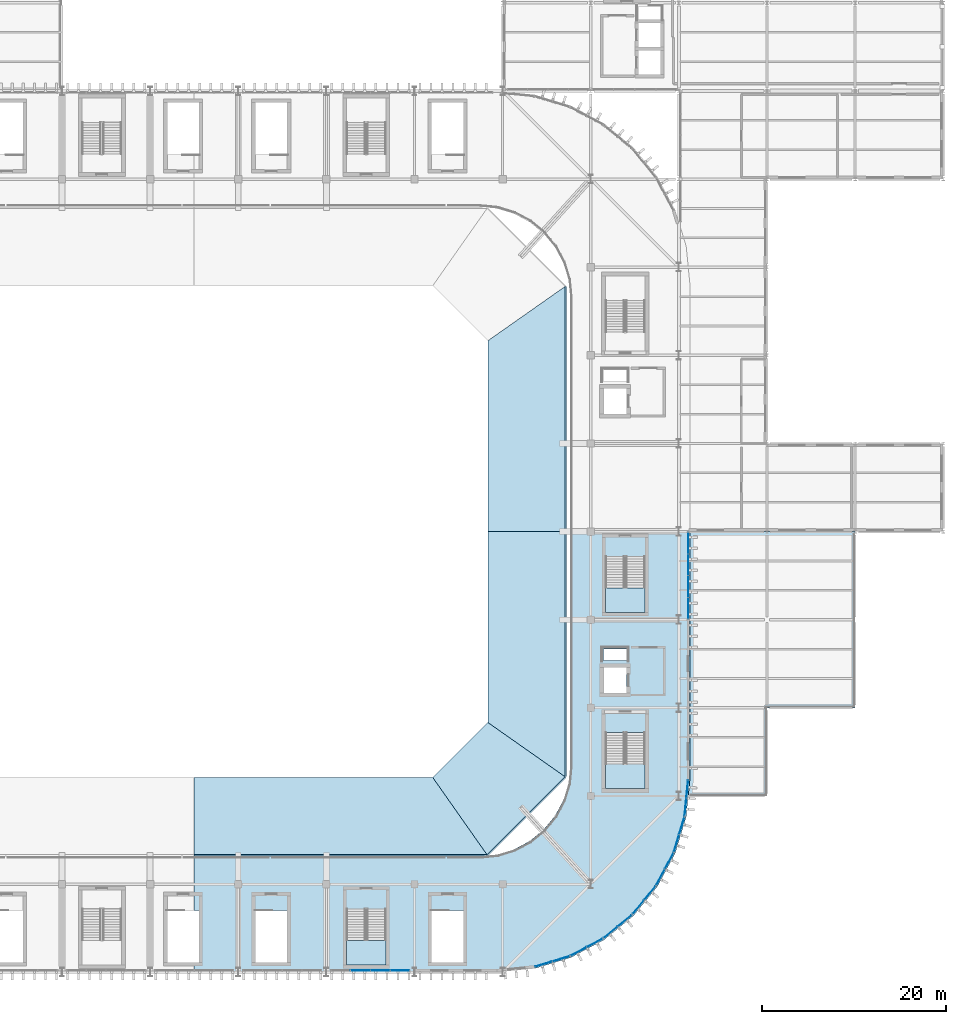
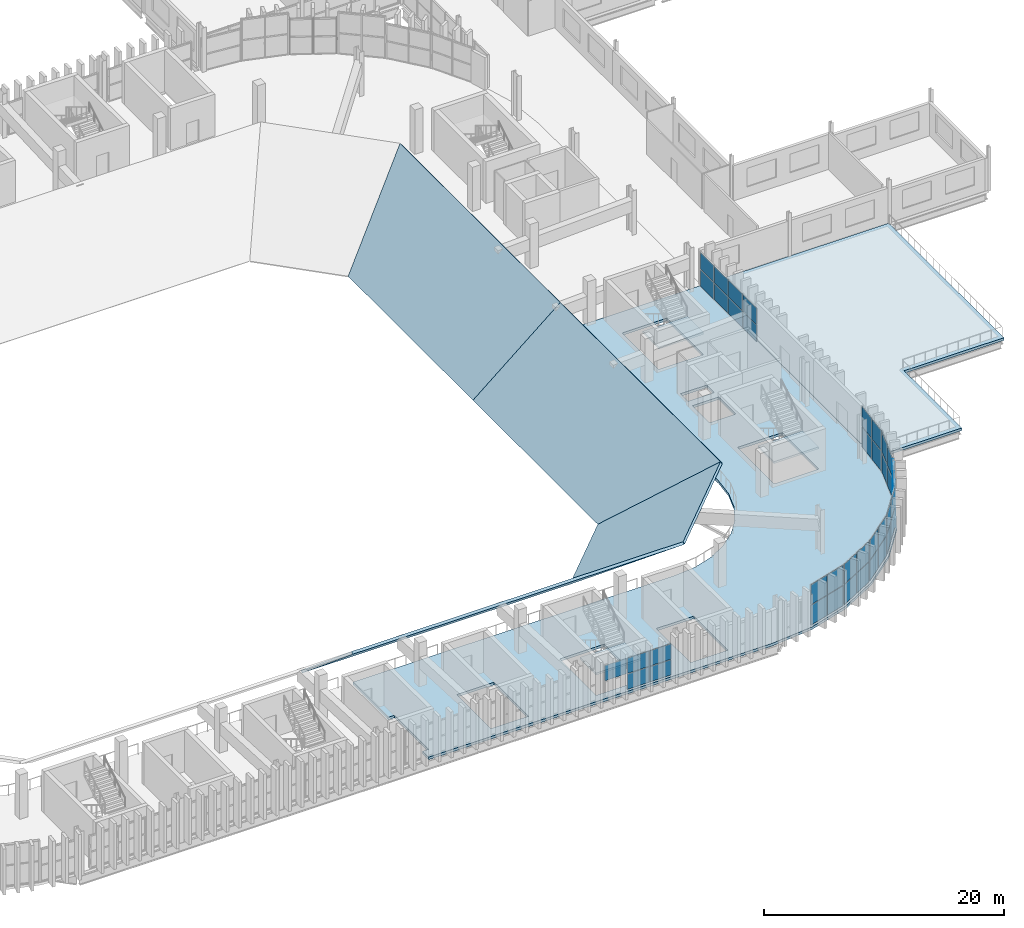
# One storey, part 37 of 69: 41 plates, 9 slabs, 12 elements without a shape of their own.
"""IFC4 building model written with IfcOpenShell, lengths in metres."""

import ifcopenshell
import ifcopenshell.guid

model = None  # the IFC model being written
_history = None  # IfcOwnerHistory: only IFC2X3 demands one
_inside = {}  # id of a spatial element -> (the spatial element, [elements in it])
_under = {}  # id of a project, library or spatial element -> (it, [spatial elements below it])
_declared = {}  # id of a project -> (the project, [libraries it declares])
_typed = {}  # id of a type object -> (the type object, [elements of that type])
_made_of = {}  # id of a material, layer set ... -> (it, [elements and type objects made of it])


def new_model(schema):
    """Start an empty IFC model of exactly this schema.

    Asked for "IFC4X3", IfcOpenShell would pick the latest addendum, in which some entities
    have other attributes; the version numbers below select the first issue.
    IFC2X3 requires an IfcOwnerHistory on every rooted entity: one is made here for all.
    """
    global model, _history
    if schema == "IFC4X3":
        model = ifcopenshell.file(schema_version=(4, 3, 0, 0))
    else:
        model = ifcopenshell.file(schema=schema)
    _inside.clear()
    _under.clear()
    _declared.clear()
    _typed.clear()
    _made_of.clear()
    _history = None
    if model.schema == "IFC2X3":
        org = make("IfcOrganization", Name="unknown")
        user = make(
            "IfcPersonAndOrganization",
            ThePerson=make("IfcPerson", FamilyName="unknown"),
            TheOrganization=org,
        )
        app = make(
            "IfcApplication",
            ApplicationDeveloper=org,
            Version="unknown",
            ApplicationFullName="unknown",
            ApplicationIdentifier="unknown",
        )
        _history = make(
            "IfcOwnerHistory",
            OwningUser=user,
            OwningApplication=app,
            ChangeAction="ADDED",
            CreationDate=0,
        )
    return model


def make(cls, **values):
    """One entity of the class cls with the attributes given. An attribute that is None is left unset."""
    return model.create_entity(
        cls, **{name: value for name, value in values.items() if value is not None}
    )


def rooted(cls, **values):
    """An entity with a GlobalId (a new one), such as an element, a storey or a relation."""
    return make(cls, GlobalId=ifcopenshell.guid.new(), OwnerHistory=_history, **values)


def si_unit(unit_type, name, prefix=None):
    """IfcSIUnit, for example si_unit("LENGTHUNIT", "METRE", prefix="MILLI")."""
    return make("IfcSIUnit", UnitType=unit_type, Prefix=prefix, Name=name)


def assignment(units):
    """IfcUnitAssignment: the units of a project."""
    return None if units is None else make("IfcUnitAssignment", Units=units)


def point(xyz):
    """IfcCartesianPoint."""
    return None if xyz is None else make("IfcCartesianPoint", Coordinates=xyz)


def direction(xyz):
    """IfcDirection."""
    return None if xyz is None else make("IfcDirection", DirectionRatios=xyz)


def frame(location, z_axis=None, x_axis=None):
    """IfcAxis2Placement3D, a coordinate frame: its origin and axes. An axis left out is left unset."""
    return make(
        "IfcAxis2Placement3D",
        Location=point(location),
        Axis=direction(z_axis),
        RefDirection=direction(x_axis),
    )


def frame_2d(location, x_axis=None):
    """IfcAxis2Placement2D, a coordinate frame in the plane: its origin and x axis."""
    return make(
        "IfcAxis2Placement2D", Location=point(location), RefDirection=direction(x_axis)
    )


def origin():
    """The frame at (0, 0, 0) with its axes left unset."""
    return frame((0.0, 0.0, 0.0))


def origin_2d():
    """The frame at (0, 0) in the plane with its x axis left unset."""
    return frame_2d((0.0, 0.0))


def place(relative_to, where):
    """IfcLocalPlacement: puts the frame where relative to a parent placement (None: the world)."""
    return make(
        "IfcLocalPlacement", PlacementRelTo=relative_to, RelativePlacement=where
    )


def context(
    kind, dimensions, precision=None, world=None, true_north=None, identifier=None
):
    """IfcGeometricRepresentationContext, for example the 3D "Model" context."""
    return make(
        "IfcGeometricRepresentationContext",
        ContextIdentifier=identifier,
        ContextType=kind,
        CoordinateSpaceDimension=dimensions,
        Precision=precision,
        WorldCoordinateSystem=world,
        TrueNorth=true_north,
    )


def subcontext(parent, identifier, kind, view, scale=None):
    """IfcGeometricRepresentationSubContext, for example "Body" below "Model"."""
    return make(
        "IfcGeometricRepresentationSubContext",
        ContextIdentifier=identifier,
        ContextType=kind,
        ParentContext=parent,
        TargetScale=scale,
        TargetView=view,
    )


def project(units=None, contexts=None):
    """IfcProject with its units and contexts."""
    return rooted(
        "IfcProject",
        Name="project",
        RepresentationContexts=contexts,
        UnitsInContext=assignment(units),
    )


def spatial(cls, under=None, at=None, **own):
    """A site, building, storey or space (cls), placed at a placement, below another one or the project."""
    s = rooted(cls, ObjectPlacement=at, **own)
    if under is not None:
        _under.setdefault(under.id(), (under, []))[1].append(s)
    return s


def polyline(points):
    """IfcPolyline through the points."""
    return make("IfcPolyline", Points=[point(p) for p in points])


def profile(cls, at=None, kind="AREA", **sizes):
    """A parametric profile (cls). Its sizes go by their IFC names, for example OverallWidth=200.0."""
    return make(cls, ProfileType=kind, Position=at, **sizes)


def rectangle(**sizes):
    """IfcRectangleProfileDef."""
    return profile("IfcRectangleProfileDef", **sizes)


def outline(outer, holes=None, kind="AREA"):
    """IfcArbitraryClosedProfileDef: a profile drawn as a closed curve; with holes, ...WithVoids."""
    if holes is None:
        return make("IfcArbitraryClosedProfileDef", ProfileType=kind, OuterCurve=outer)
    return make(
        "IfcArbitraryProfileDefWithVoids",
        ProfileType=kind,
        OuterCurve=outer,
        InnerCurves=holes,
    )


def extrude(swept, where, along, depth):
    """IfcExtrudedAreaSolid: the profile swept, set in the frame where, extruded along a direction by depth."""
    return make(
        "IfcExtrudedAreaSolid",
        SweptArea=swept,
        Position=where,
        ExtrudedDirection=direction(along),
        Depth=depth,
    )


def shape(context_of_items, identifier, shape_type, items):
    """IfcShapeRepresentation: the items that make up one representation, for example the "Body"."""
    return make(
        "IfcShapeRepresentation",
        ContextOfItems=context_of_items,
        RepresentationIdentifier=identifier,
        RepresentationType=shape_type,
        Items=items,
    )


def material(Name=None, Category=None):
    """IfcMaterial."""
    return make("IfcMaterial", Name=Name, Category=Category)


def layer(
    of_material, thickness, ventilated=None, Name=None, Category=None, Priority=None
):
    """IfcMaterialLayer: one layer of a wall or slab, of a material (None: an air gap)."""
    return make(
        "IfcMaterialLayer",
        Material=of_material,
        LayerThickness=thickness,
        IsVentilated=ventilated,
        Name=Name,
        Category=Category,
        Priority=Priority,
    )


def layer_set(layers, Name=None):
    """IfcMaterialLayerSet."""
    return make("IfcMaterialLayerSet", MaterialLayers=layers, LayerSetName=Name)


def made_of(thing, what):
    """Note that an element or type object is made of a material, layer set ...; save() writes the relation."""
    if what is not None:
        _made_of.setdefault(what.id(), (what, []))[1].append(thing)
    return thing


def type_object(cls, material=None, **own):
    """A type object (cls), such as IfcWallType, which elements share."""
    return made_of(rooted(cls, **own), material)


def element(
    cls,
    number,
    at=None,
    inside=None,
    cuts=None,
    type_object=None,
    material=None,
    context=None,
    identifier="Body",
    shape_type=None,
    held_by="IfcProductDefinitionShape",
    body=None,
    shapes=None,
    **own,
):
    """One element of the class cls, such as IfcWall. Its Tag is "e" and its number.

    at: its placement. inside: the storey or other place that contains it. cuts: it is an
    opening in that element (IfcRelVoidsElement). A single representation is given by context,
    identifier, shape_type and body (its items); several are given by shapes. held_by: the class
    of the entity that holds the representations. save() writes the other relations.
    """
    e = rooted(cls, Tag="e%d" % number, ObjectPlacement=at, **own)
    if body is not None:
        shapes = [shape(context, identifier, shape_type, body)]
    if shapes is not None:
        e.Representation = make(held_by, Representations=shapes)
    if inside is not None:
        _inside.setdefault(inside.id(), (inside, []))[1].append(e)
    if cuts is not None:
        rooted(
            "IfcRelVoidsElement", RelatingBuildingElement=cuts, RelatedOpeningElement=e
        )
    if type_object is not None:
        _typed.setdefault(type_object.id(), (type_object, []))[1].append(e)
    return made_of(e, material)


def aggregate(whole, parts):
    """IfcRelAggregates: a whole, such as a stair, and the parts it consists of."""
    return rooted("IfcRelAggregates", RelatingObject=whole, RelatedObjects=parts)


def save(model, path):
    """Write the relations noted so far, then the file.

    IfcRelAggregates (storeys below a building ...), IfcRelContainedInSpatialStructure (elements
    in a storey), IfcRelDefinesByType, IfcRelAssociatesMaterial and IfcRelDeclares: one each for
    every whole, place, type object, material and project.
    """
    for whole, parts in _under.values():
        aggregate(whole, parts)
    for where, things in _inside.values():
        rooted(
            "IfcRelContainedInSpatialStructure",
            RelatedElements=things,
            RelatingStructure=where,
        )
    for kind, things in _typed.values():
        rooted("IfcRelDefinesByType", RelatedObjects=things, RelatingType=kind)
    for what, things in _made_of.values():
        rooted("IfcRelAssociatesMaterial", RelatedObjects=things, RelatingMaterial=what)
    for by, libraries in _declared.values():
        rooted("IfcRelDeclares", RelatingContext=by, RelatedDefinitions=libraries)
    model.write(path)


model = new_model("IFC4")

# Units and contexts
model_context = context("Model", 3, precision=1e-05, world=origin(), true_north=direction((0.0, 1.0)))
body_context = subcontext(model_context, "Body", "Model", "MODEL_VIEW")
ifc_project = project(units=[si_unit("LENGTHUNIT", "METRE"), si_unit("AREAUNIT", "SQUARE_METRE"), si_unit("VOLUMEUNIT", "CUBIC_METRE"), si_unit("PLANEANGLEUNIT", "RADIAN"), si_unit("MASSUNIT", "GRAM", prefix="KILO")], contexts=[model_context])

# Site, building, storey
site_placement = place(None, origin())
site = spatial("IfcSite", under=ifc_project, at=site_placement, CompositionType="ELEMENT")
building_placement = place(site_placement, origin())
building = spatial("IfcBuilding", under=site, at=building_placement, Name="Caelomonte Colonnade Arena", CompositionType="ELEMENT")
storey_placement = place(building_placement, frame((0.0, 0.0, 18.60009765625)))
storey = spatial("IfcBuildingStorey", under=building, at=storey_placement, Name="L04", CompositionType="ELEMENT", Elevation=18.60009765625)

# Curtain wall, plates
ifc_material_1 = material(Name="Bronze anodised aluminium and low-E glazing", Category="aluminium")
ifc_layer_1 = layer(ifc_material_1, 0.179931640625)
ifc_layer_set_1 = layer_set([ifc_layer_1], Name="Bronze anodised aluminium and low-E glazing")
curtain_wall_type_1 = type_object("IfcCurtainWallType", Name="ENV-CW-CW-L04-96-33", PredefinedType="USERDEFINED", material=ifc_layer_set_1)
curtain_wall_1_placement = place(storey_placement, origin())
curtain_wall_1 = element("IfcCurtainWall", 1, at=curtain_wall_1_placement, inside=storey, type_object=curtain_wall_type_1, Name="L04 unitized curtain wall CW-L04-1296-0194", ObjectType="UNITIZED CURTAIN WALL", PredefinedType="USERDEFINED")
ifc_material_2 = material(Name="Solar-control bronze low-E double glazing", Category="glass")
ifc_layer_2 = layer(ifc_material_2, 0.035888671875)
ifc_layer_set_2 = layer_set([ifc_layer_2], Name="Solar-control bronze low-E double glazing")
plate_type = type_object("IfcPlateType", Name="ENV-CW-PAN36", PredefinedType="CURTAIN_PANEL", material=ifc_layer_set_2)
plate_1_placement = place(storey_placement, frame((128.520751953125, 19.3798828125, 1.69140625), z_axis=(0.0, 0.0, 1.0), x_axis=(1.0, 0.0, 0.0)))
plate_1 = element("IfcPlate", 2, at=plate_1_placement, type_object=plate_type, Name="CW-L04-96-33 panel 2.2", PredefinedType="CURTAIN_PANEL", context=body_context, shape_type="SweptSolid", body=[
    extrude(rectangle(XDim=2.088134765625, YDim=0.035888671875, at=origin_2d()), origin(), (0.0, 0.0, 1.0), 1.551513671875),
])
plate_2_placement = place(storey_placement, frame((130.678955078125, 19.3798828125, 0.06982421875), z_axis=(0.0, 0.0, 1.0), x_axis=(1.0, 0.0, 0.0)))
plate_2 = element("IfcPlate", 3, at=plate_2_placement, type_object=plate_type, Name="CW-L04-96-33 panel 3.1", PredefinedType="CURTAIN_PANEL", context=body_context, shape_type="SweptSolid", body=[
    extrude(rectangle(XDim=2.088134765625, YDim=0.035888671875, at=origin_2d()), origin(), (0.0, 0.0, 1.0), 1.551513671875),
])
plate_3_placement = place(storey_placement, frame((130.678955078125, 19.3798828125, 1.69140625), z_axis=(0.0, 0.0, 1.0), x_axis=(1.0, 0.0, 0.0)))
plate_3 = element("IfcPlate", 4, at=plate_3_placement, type_object=plate_type, Name="CW-L04-96-33 panel 3.2", PredefinedType="CURTAIN_PANEL", context=body_context, shape_type="SweptSolid", body=[
    extrude(rectangle(XDim=2.088134765625, YDim=0.035888671875, at=origin_2d()), origin(), (0.0, 0.0, 1.0), 1.551513671875),
])
plate_4_placement = place(storey_placement, frame((132.81982421875, 19.3798828125, 0.06982421875), z_axis=(0.0, 0.0, 1.0), x_axis=(1.0, 0.0, 0.0)))
plate_4 = element("IfcPlate", 5, at=plate_4_placement, type_object=plate_type, Name="CW-L04-96-33 panel 4.1", PredefinedType="CURTAIN_PANEL", context=body_context, shape_type="SweptSolid", body=[
    extrude(rectangle(XDim=2.05322265625, YDim=0.035888671875, at=origin_2d()), origin(), (0.0, 0.0, 1.0), 1.551513671875),
])
plate_5_placement = place(storey_placement, frame((132.81982421875, 19.3798828125, 1.69140625), z_axis=(0.0, 0.0, 1.0), x_axis=(1.0, 0.0, 0.0)))
plate_5 = element("IfcPlate", 6, at=plate_5_placement, type_object=plate_type, Name="CW-L04-96-33 panel 4.2", PredefinedType="CURTAIN_PANEL", context=body_context, shape_type="SweptSolid", body=[
    extrude(rectangle(XDim=2.05322265625, YDim=0.035888671875, at=origin_2d()), origin(), (0.0, 0.0, 1.0), 1.551513671875),
])
aggregate(curtain_wall_1, [plate_1, plate_2, plate_3, plate_4, plate_5])

ifc_layer_3 = layer(ifc_material_1, 0.179931640625)
ifc_layer_set_3 = layer_set([ifc_layer_3], Name="Bronze anodised aluminium and low-E glazing")
curtain_wall_type_2 = type_object("IfcCurtainWallType", Name="ENV-CW-CW-L04-44-42", PredefinedType="USERDEFINED", material=ifc_layer_set_3)
curtain_wall_2_placement = place(storey_placement, origin())
curtain_wall_2 = element("IfcCurtainWall", 7, at=curtain_wall_2_placement, inside=storey, type_object=curtain_wall_type_2, Name="L04 unitized curtain wall CW-L04-1494-0204", ObjectType="UNITIZED CURTAIN WALL", PredefinedType="USERDEFINED")
plate_6_placement = place(storey_placement, frame((148.46533203125, 20.08544921875, 0.06982421875), z_axis=(0.0, 0.0, 1.0), x_axis=(0.956949160999, 0.290255582655, 0.0)))
plate_6 = element("IfcPlate", 8, at=plate_6_placement, type_object=plate_type, Name="CW-L04-44-42 panel 1.1", PredefinedType="CURTAIN_PANEL", context=body_context, shape_type="SweptSolid", body=[
    extrude(rectangle(XDim=1.913330078125, YDim=0.035888671875, at=origin_2d()), origin(), (0.0, 0.0, 1.0), 2.014892578125),
])
plate_7_placement = place(storey_placement, frame((148.46533203125, 20.08544921875, 2.15478515625), z_axis=(0.0, 0.0, 1.0), x_axis=(0.956949160999, 0.290255582655, 0.0)))
plate_7 = element("IfcPlate", 9, at=plate_7_placement, type_object=plate_type, Name="CW-L04-44-42 panel 1.2", PredefinedType="CURTAIN_PANEL", context=body_context, shape_type="SweptSolid", body=[
    extrude(rectangle(XDim=1.913330078125, YDim=0.035888671875, at=origin_2d()), origin(), (0.0, 0.0, 1.0), 2.014892578125),
])
plate_8_placement = place(storey_placement, frame((150.36328125, 20.6611328125, 0.06982421875), z_axis=(0.0, 0.0, 1.0), x_axis=(0.956949160999, 0.290255582655, 0.0)))
plate_8 = element("IfcPlate", 10, at=plate_8_placement, type_object=plate_type, Name="CW-L04-44-42 panel 2.1", PredefinedType="CURTAIN_PANEL", context=body_context, shape_type="SweptSolid", body=[
    extrude(rectangle(XDim=1.913330078125, YDim=0.035888671875, at=origin_2d()), origin(), (0.0, 0.0, 1.0), 2.014892578125),
])
plate_9_placement = place(storey_placement, frame((150.36328125, 20.6611328125, 2.15478515625), z_axis=(0.0, 0.0, 1.0), x_axis=(0.956949160999, 0.290255582655, 0.0)))
plate_9 = element("IfcPlate", 11, at=plate_9_placement, type_object=plate_type, Name="CW-L04-44-42 panel 2.2", PredefinedType="CURTAIN_PANEL", context=body_context, shape_type="SweptSolid", body=[
    extrude(rectangle(XDim=1.913330078125, YDim=0.035888671875, at=origin_2d()), origin(), (0.0, 0.0, 1.0), 2.014892578125),
])
aggregate(curtain_wall_2, [plate_6, plate_7, plate_8, plate_9])

curtain_wall_3_placement = place(storey_placement, origin())
curtain_wall_3 = element("IfcCurtainWall", 12, at=curtain_wall_3_placement, inside=storey, type_object=curtain_wall_type_2, Name="L04 unitized curtain wall CW-L04-1532-0219", ObjectType="UNITIZED CURTAIN WALL", PredefinedType="USERDEFINED")
plate_10_placement = place(storey_placement, frame((152.292236328125, 21.4599609375, 0.06982421875), z_axis=(0.0, 0.0, 1.0), x_axis=(0.881922613642, 0.471394212466, 0.0)))
plate_10 = element("IfcPlate", 13, at=plate_10_placement, type_object=plate_type, Name="CW-L04-44-42 panel 1.1", PredefinedType="CURTAIN_PANEL", context=body_context, shape_type="SweptSolid", body=[
    extrude(rectangle(XDim=1.913330078125, YDim=0.035888671875, at=origin_2d()), origin(), (0.0, 0.0, 1.0), 2.014892578125),
])
plate_11_placement = place(storey_placement, frame((152.292236328125, 21.4599609375, 2.15478515625), z_axis=(0.0, 0.0, 1.0), x_axis=(0.881922613642, 0.471394212466, 0.0)))
plate_11 = element("IfcPlate", 14, at=plate_11_placement, type_object=plate_type, Name="CW-L04-44-42 panel 1.2", PredefinedType="CURTAIN_PANEL", context=body_context, shape_type="SweptSolid", body=[
    extrude(rectangle(XDim=1.913330078125, YDim=0.035888671875, at=origin_2d()), origin(), (0.0, 0.0, 1.0), 2.014892578125),
])
plate_12_placement = place(storey_placement, frame((154.04150390625, 22.39501953125, 0.06982421875), z_axis=(0.0, 0.0, 1.0), x_axis=(0.881922613642, 0.471394212466, 0.0)))
plate_12 = element("IfcPlate", 15, at=plate_12_placement, type_object=plate_type, Name="CW-L04-44-42 panel 2.1", PredefinedType="CURTAIN_PANEL", context=body_context, shape_type="SweptSolid", body=[
    extrude(rectangle(XDim=1.913330078125, YDim=0.035888671875, at=origin_2d()), origin(), (0.0, 0.0, 1.0), 2.014892578125),
])
plate_13_placement = place(storey_placement, frame((154.04150390625, 22.39501953125, 2.15478515625), z_axis=(0.0, 0.0, 1.0), x_axis=(0.881922613642, 0.471394212466, 0.0)))
plate_13 = element("IfcPlate", 16, at=plate_13_placement, type_object=plate_type, Name="CW-L04-44-42 panel 2.2", PredefinedType="CURTAIN_PANEL", context=body_context, shape_type="SweptSolid", body=[
    extrude(rectangle(XDim=1.913330078125, YDim=0.035888671875, at=origin_2d()), origin(), (0.0, 0.0, 1.0), 2.014892578125),
])
aggregate(curtain_wall_3, [plate_10, plate_11, plate_12, plate_13])

curtain_wall_4_placement = place(storey_placement, origin())
curtain_wall_4 = element("IfcCurtainWall", 17, at=curtain_wall_4_placement, inside=storey, type_object=curtain_wall_type_2, Name="L04 unitized curtain wall CW-L04-1565-0242", ObjectType="UNITIZED CURTAIN WALL", PredefinedType="USERDEFINED")
plate_14_placement = place(storey_placement, frame((155.77734375, 23.554931640625, 0.06982421875), z_axis=(0.0, 0.0, 1.0), x_axis=(0.772991751994, 0.634416071163, 0.0)))
plate_14 = element("IfcPlate", 18, at=plate_14_placement, type_object=plate_type, Name="CW-L04-44-42 panel 1.1", PredefinedType="CURTAIN_PANEL", context=body_context, shape_type="SweptSolid", body=[
    extrude(rectangle(XDim=1.913330078125, YDim=0.035888671875, at=origin_2d()), origin(), (0.0, 0.0, 1.0), 2.014892578125),
])
plate_15_placement = place(storey_placement, frame((155.77734375, 23.554931640625, 2.15478515625), z_axis=(0.0, 0.0, 1.0), x_axis=(0.772991751994, 0.634416071163, 0.0)))
plate_15 = element("IfcPlate", 19, at=plate_15_placement, type_object=plate_type, Name="CW-L04-44-42 panel 1.2", PredefinedType="CURTAIN_PANEL", context=body_context, shape_type="SweptSolid", body=[
    extrude(rectangle(XDim=1.913330078125, YDim=0.035888671875, at=origin_2d()), origin(), (0.0, 0.0, 1.0), 2.014892578125),
])
plate_16_placement = place(storey_placement, frame((157.310546875, 24.813232421875, 0.06982421875), z_axis=(0.0, 0.0, 1.0), x_axis=(0.772991751994, 0.634416071163, 0.0)))
plate_16 = element("IfcPlate", 20, at=plate_16_placement, type_object=plate_type, Name="CW-L04-44-42 panel 2.1", PredefinedType="CURTAIN_PANEL", context=body_context, shape_type="SweptSolid", body=[
    extrude(rectangle(XDim=1.913330078125, YDim=0.035888671875, at=origin_2d()), origin(), (0.0, 0.0, 1.0), 2.014892578125),
])
plate_17_placement = place(storey_placement, frame((157.310546875, 24.813232421875, 2.15478515625), z_axis=(0.0, 0.0, 1.0), x_axis=(0.772991751994, 0.634416071163, 0.0)))
plate_17 = element("IfcPlate", 21, at=plate_17_placement, type_object=plate_type, Name="CW-L04-44-42 panel 2.2", PredefinedType="CURTAIN_PANEL", context=body_context, shape_type="SweptSolid", body=[
    extrude(rectangle(XDim=1.913330078125, YDim=0.035888671875, at=origin_2d()), origin(), (0.0, 0.0, 1.0), 2.014892578125),
])
aggregate(curtain_wall_4, [plate_14, plate_15, plate_16, plate_17])

curtain_wall_5_placement = place(storey_placement, origin())
curtain_wall_5 = element("IfcCurtainWall", 22, at=curtain_wall_5_placement, inside=storey, type_object=curtain_wall_type_2, Name="L04 unitized curtain wall CW-L04-1594-0271", ObjectType="UNITIZED CURTAIN WALL", PredefinedType="USERDEFINED")
plate_18_placement = place(storey_placement, frame((158.786865234375, 26.28955078125, 0.06982421875), z_axis=(0.0, 0.0, 1.0), x_axis=(0.634416071163, 0.772991751994, 0.0)))
plate_18 = element("IfcPlate", 23, at=plate_18_placement, type_object=plate_type, Name="CW-L04-44-42 panel 1.1", PredefinedType="CURTAIN_PANEL", context=body_context, shape_type="SweptSolid", body=[
    extrude(rectangle(XDim=1.913330078125, YDim=0.035888671875, at=origin_2d()), origin(), (0.0, 0.0, 1.0), 2.014892578125),
])
plate_19_placement = place(storey_placement, frame((158.786865234375, 26.28955078125, 2.15478515625), z_axis=(0.0, 0.0, 1.0), x_axis=(0.634416071163, 0.772991751994, 0.0)))
plate_19 = element("IfcPlate", 24, at=plate_19_placement, type_object=plate_type, Name="CW-L04-44-42 panel 1.2", PredefinedType="CURTAIN_PANEL", context=body_context, shape_type="SweptSolid", body=[
    extrude(rectangle(XDim=1.913330078125, YDim=0.035888671875, at=origin_2d()), origin(), (0.0, 0.0, 1.0), 2.014892578125),
])
plate_20_placement = place(storey_placement, frame((160.045166015625, 27.82275390625, 0.06982421875), z_axis=(0.0, 0.0, 1.0), x_axis=(0.634416071163, 0.772991751994, 0.0)))
plate_20 = element("IfcPlate", 25, at=plate_20_placement, type_object=plate_type, Name="CW-L04-44-42 panel 2.1", PredefinedType="CURTAIN_PANEL", context=body_context, shape_type="SweptSolid", body=[
    extrude(rectangle(XDim=1.913330078125, YDim=0.035888671875, at=origin_2d()), origin(), (0.0, 0.0, 1.0), 2.014892578125),
])
plate_21_placement = place(storey_placement, frame((160.045166015625, 27.82275390625, 2.15478515625), z_axis=(0.0, 0.0, 1.0), x_axis=(0.634416071163, 0.772991751994, 0.0)))
plate_21 = element("IfcPlate", 26, at=plate_21_placement, type_object=plate_type, Name="CW-L04-44-42 panel 2.2", PredefinedType="CURTAIN_PANEL", context=body_context, shape_type="SweptSolid", body=[
    extrude(rectangle(XDim=1.913330078125, YDim=0.035888671875, at=origin_2d()), origin(), (0.0, 0.0, 1.0), 2.014892578125),
])
aggregate(curtain_wall_5, [plate_18, plate_19, plate_20, plate_21])

curtain_wall_6_placement = place(storey_placement, origin())
curtain_wall_6 = element("IfcCurtainWall", 27, at=curtain_wall_6_placement, inside=storey, type_object=curtain_wall_type_2, Name="L04 unitized curtain wall CW-L04-1617-0304", ObjectType="UNITIZED CURTAIN WALL", PredefinedType="USERDEFINED")
plate_22_placement = place(storey_placement, frame((161.205078125, 29.55859375, 0.06982421875), z_axis=(0.0, 0.0, 1.0), x_axis=(0.471394212466, 0.881922613642, 0.0)))
plate_22 = element("IfcPlate", 28, at=plate_22_placement, type_object=plate_type, Name="CW-L04-44-42 panel 1.1", PredefinedType="CURTAIN_PANEL", context=body_context, shape_type="SweptSolid", body=[
    extrude(rectangle(XDim=1.913330078125, YDim=0.035888671875, at=origin_2d()), origin(), (0.0, 0.0, 1.0), 2.014892578125),
])
plate_23_placement = place(storey_placement, frame((161.205078125, 29.55859375, 2.15478515625), z_axis=(0.0, 0.0, 1.0), x_axis=(0.471394212466, 0.881922613642, 0.0)))
plate_23 = element("IfcPlate", 29, at=plate_23_placement, type_object=plate_type, Name="CW-L04-44-42 panel 1.2", PredefinedType="CURTAIN_PANEL", context=body_context, shape_type="SweptSolid", body=[
    extrude(rectangle(XDim=1.913330078125, YDim=0.035888671875, at=origin_2d()), origin(), (0.0, 0.0, 1.0), 2.014892578125),
])
plate_24_placement = place(storey_placement, frame((162.139892578125, 31.307861328125, 0.06982421875), z_axis=(0.0, 0.0, 1.0), x_axis=(0.471394212466, 0.881922613642, 0.0)))
plate_24 = element("IfcPlate", 30, at=plate_24_placement, type_object=plate_type, Name="CW-L04-44-42 panel 2.1", PredefinedType="CURTAIN_PANEL", context=body_context, shape_type="SweptSolid", body=[
    extrude(rectangle(XDim=1.913330078125, YDim=0.035888671875, at=origin_2d()), origin(), (0.0, 0.0, 1.0), 2.014892578125),
])
plate_25_placement = place(storey_placement, frame((162.139892578125, 31.307861328125, 2.15478515625), z_axis=(0.0, 0.0, 1.0), x_axis=(0.471394212466, 0.881922613642, 0.0)))
plate_25 = element("IfcPlate", 31, at=plate_25_placement, type_object=plate_type, Name="CW-L04-44-42 panel 2.2", PredefinedType="CURTAIN_PANEL", context=body_context, shape_type="SweptSolid", body=[
    extrude(rectangle(XDim=1.913330078125, YDim=0.035888671875, at=origin_2d()), origin(), (0.0, 0.0, 1.0), 2.014892578125),
])
aggregate(curtain_wall_6, [plate_22, plate_23, plate_24, plate_25])

curtain_wall_7_placement = place(storey_placement, origin())
curtain_wall_7 = element("IfcCurtainWall", 32, at=curtain_wall_7_placement, inside=storey, type_object=curtain_wall_type_2, Name="L04 unitized curtain wall CW-L04-1632-0342", ObjectType="UNITIZED CURTAIN WALL", PredefinedType="USERDEFINED")
plate_26_placement = place(storey_placement, frame((162.93896484375, 33.236572265625, 0.06982421875), z_axis=(0.0, 0.0, 1.0), x_axis=(0.290255582655, 0.956949160999, 0.0)))
plate_26 = element("IfcPlate", 33, at=plate_26_placement, type_object=plate_type, Name="CW-L04-44-42 panel 1.1", PredefinedType="CURTAIN_PANEL", context=body_context, shape_type="SweptSolid", body=[
    extrude(rectangle(XDim=1.913330078125, YDim=0.035888671875, at=origin_2d()), origin(), (0.0, 0.0, 1.0), 2.014892578125),
])
plate_27_placement = place(storey_placement, frame((162.93896484375, 33.236572265625, 2.15478515625), z_axis=(0.0, 0.0, 1.0), x_axis=(0.290255582655, 0.956949160999, 0.0)))
plate_27 = element("IfcPlate", 34, at=plate_27_placement, type_object=plate_type, Name="CW-L04-44-42 panel 1.2", PredefinedType="CURTAIN_PANEL", context=body_context, shape_type="SweptSolid", body=[
    extrude(rectangle(XDim=1.913330078125, YDim=0.035888671875, at=origin_2d()), origin(), (0.0, 0.0, 1.0), 2.014892578125),
])
plate_28_placement = place(storey_placement, frame((163.5146484375, 35.134521484375, 0.06982421875), z_axis=(0.0, 0.0, 1.0), x_axis=(0.290255582655, 0.956949160999, 0.0)))
plate_28 = element("IfcPlate", 35, at=plate_28_placement, type_object=plate_type, Name="CW-L04-44-42 panel 2.1", PredefinedType="CURTAIN_PANEL", context=body_context, shape_type="SweptSolid", body=[
    extrude(rectangle(XDim=1.913330078125, YDim=0.035888671875, at=origin_2d()), origin(), (0.0, 0.0, 1.0), 2.014892578125),
])
plate_29_placement = place(storey_placement, frame((163.5146484375, 35.134521484375, 2.15478515625), z_axis=(0.0, 0.0, 1.0), x_axis=(0.290255582655, 0.956949160999, 0.0)))
plate_29 = element("IfcPlate", 36, at=plate_29_placement, type_object=plate_type, Name="CW-L04-44-42 panel 2.2", PredefinedType="CURTAIN_PANEL", context=body_context, shape_type="SweptSolid", body=[
    extrude(rectangle(XDim=1.913330078125, YDim=0.035888671875, at=origin_2d()), origin(), (0.0, 0.0, 1.0), 2.014892578125),
])
aggregate(curtain_wall_7, [plate_26, plate_27, plate_28, plate_29])

curtain_wall_8_placement = place(storey_placement, origin())
curtain_wall_8 = element("IfcCurtainWall", 37, at=curtain_wall_8_placement, inside=storey, type_object=curtain_wall_type_2, Name="L04 unitized curtain wall CW-L04-1640-0382", ObjectType="UNITIZED CURTAIN WALL", PredefinedType="USERDEFINED")
plate_30_placement = place(storey_placement, frame((163.921875, 37.182373046875, 0.06982421875), z_axis=(0.0, 0.0, 1.0), x_axis=(0.098002498041, 0.995186168703, 0.0)))
plate_30 = element("IfcPlate", 38, at=plate_30_placement, type_object=plate_type, Name="CW-L04-44-42 panel 1.1", PredefinedType="CURTAIN_PANEL", context=body_context, shape_type="SweptSolid", body=[
    extrude(rectangle(XDim=1.913330078125, YDim=0.035888671875, at=origin_2d()), origin(), (0.0, 0.0, 1.0), 2.014892578125),
])
plate_31_placement = place(storey_placement, frame((163.921875, 37.182373046875, 2.15478515625), z_axis=(0.0, 0.0, 1.0), x_axis=(0.098002498041, 0.995186168703, 0.0)))
plate_31 = element("IfcPlate", 39, at=plate_31_placement, type_object=plate_type, Name="CW-L04-44-42 panel 1.2", PredefinedType="CURTAIN_PANEL", context=body_context, shape_type="SweptSolid", body=[
    extrude(rectangle(XDim=1.913330078125, YDim=0.035888671875, at=origin_2d()), origin(), (0.0, 0.0, 1.0), 2.014892578125),
])
plate_32_placement = place(storey_placement, frame((164.1162109375, 39.156005859375, 0.06982421875), z_axis=(0.0, 0.0, 1.0), x_axis=(0.098002498041, 0.995186168703, 0.0)))
plate_32 = element("IfcPlate", 40, at=plate_32_placement, type_object=plate_type, Name="CW-L04-44-42 panel 2.1", PredefinedType="CURTAIN_PANEL", context=body_context, shape_type="SweptSolid", body=[
    extrude(rectangle(XDim=1.913330078125, YDim=0.035888671875, at=origin_2d()), origin(), (0.0, 0.0, 1.0), 2.014892578125),
])
plate_33_placement = place(storey_placement, frame((164.1162109375, 39.156005859375, 2.15478515625), z_axis=(0.0, 0.0, 1.0), x_axis=(0.098002498041, 0.995186168703, 0.0)))
plate_33 = element("IfcPlate", 41, at=plate_33_placement, type_object=plate_type, Name="CW-L04-44-42 panel 2.2", PredefinedType="CURTAIN_PANEL", context=body_context, shape_type="SweptSolid", body=[
    extrude(rectangle(XDim=1.913330078125, YDim=0.035888671875, at=origin_2d()), origin(), (0.0, 0.0, 1.0), 2.014892578125),
])
aggregate(curtain_wall_8, [plate_30, plate_31, plate_32, plate_33])

ifc_layer_4 = layer(ifc_material_1, 0.179931640625)
ifc_layer_set_4 = layer_set([ifc_layer_4], Name="Bronze anodised aluminium and low-E glazing")
curtain_wall_type_3 = type_object("IfcCurtainWallType", Name="ENV-CW-CW-L04-97-36", PredefinedType="USERDEFINED", material=ifc_layer_set_4)
curtain_wall_9_placement = place(storey_placement, origin())
curtain_wall_9 = element("IfcCurtainWall", 42, at=curtain_wall_9_placement, inside=storey, type_object=curtain_wall_type_3, Name="L04 unitized curtain wall CW-L04-1642-0625", ObjectType="UNITIZED CURTAIN WALL", PredefinedType="USERDEFINED")
plate_34_placement = place(storey_placement, frame((164.219970703125, 58.847412109375, 0.070068359375), z_axis=(0.0, 0.0, 1.0), x_axis=(0.0, 1.0, 0.0)))
plate_34 = element("IfcPlate", 43, at=plate_34_placement, type_object=plate_type, Name="CW-L04-97-36 panel 1.1", PredefinedType="CURTAIN_PANEL", context=body_context, shape_type="SweptSolid", body=[
    extrude(rectangle(XDim=2.27490234375, YDim=0.035888671875, at=origin_2d()), origin(), (0.0, 0.0, 1.0), 1.67578125),
])
plate_35_placement = place(storey_placement, frame((164.219970703125, 58.847412109375, 1.81591796875), z_axis=(0.0, 0.0, 1.0), x_axis=(0.0, 1.0, 0.0)))
plate_35 = element("IfcPlate", 44, at=plate_35_placement, type_object=plate_type, Name="CW-L04-97-36 panel 1.2", PredefinedType="CURTAIN_PANEL", context=body_context, shape_type="SweptSolid", body=[
    extrude(rectangle(XDim=2.27490234375, YDim=0.035888671875, at=origin_2d()), origin(), (0.0, 0.0, 1.0), 1.67578125),
])
plate_36_placement = place(storey_placement, frame((164.219970703125, 61.2099609375, 0.070068359375), z_axis=(0.0, 0.0, 1.0), x_axis=(0.0, 1.0, 0.0)))
plate_36 = element("IfcPlate", 45, at=plate_36_placement, type_object=plate_type, Name="CW-L04-97-36 panel 2.1", PredefinedType="CURTAIN_PANEL", context=body_context, shape_type="SweptSolid", body=[
    extrude(rectangle(XDim=2.31005859375, YDim=0.035888671875, at=origin_2d()), origin(), (0.0, 0.0, 1.0), 1.67578125),
])
plate_37_placement = place(storey_placement, frame((164.219970703125, 61.2099609375, 1.81591796875), z_axis=(0.0, 0.0, 1.0), x_axis=(0.0, 1.0, 0.0)))
plate_37 = element("IfcPlate", 46, at=plate_37_placement, type_object=plate_type, Name="CW-L04-97-36 panel 2.2", PredefinedType="CURTAIN_PANEL", context=body_context, shape_type="SweptSolid", body=[
    extrude(rectangle(XDim=2.31005859375, YDim=0.035888671875, at=origin_2d()), origin(), (0.0, 0.0, 1.0), 1.67578125),
])
plate_38_placement = place(storey_placement, frame((164.219970703125, 63.590087890625, 0.070068359375), z_axis=(0.0, 0.0, 1.0), x_axis=(0.0, 1.0, 0.0)))
plate_38 = element("IfcPlate", 47, at=plate_38_placement, type_object=plate_type, Name="CW-L04-97-36 panel 3.1", PredefinedType="CURTAIN_PANEL", context=body_context, shape_type="SweptSolid", body=[
    extrude(rectangle(XDim=2.31005859375, YDim=0.035888671875, at=origin_2d()), origin(), (0.0, 0.0, 1.0), 1.67578125),
])
plate_39_placement = place(storey_placement, frame((164.219970703125, 63.590087890625, 1.81591796875), z_axis=(0.0, 0.0, 1.0), x_axis=(0.0, 1.0, 0.0)))
plate_39 = element("IfcPlate", 48, at=plate_39_placement, type_object=plate_type, Name="CW-L04-97-36 panel 3.2", PredefinedType="CURTAIN_PANEL", context=body_context, shape_type="SweptSolid", body=[
    extrude(rectangle(XDim=2.31005859375, YDim=0.035888671875, at=origin_2d()), origin(), (0.0, 0.0, 1.0), 1.67578125),
])
plate_40_placement = place(storey_placement, frame((164.219970703125, 65.952392578125, 0.070068359375), z_axis=(0.0, 0.0, 1.0), x_axis=(0.0, 1.0, 0.0)))
plate_40 = element("IfcPlate", 49, at=plate_40_placement, type_object=plate_type, Name="CW-L04-97-36 panel 4.1", PredefinedType="CURTAIN_PANEL", context=body_context, shape_type="SweptSolid", body=[
    extrude(rectangle(XDim=2.27490234375, YDim=0.035888671875, at=origin_2d()), origin(), (0.0, 0.0, 1.0), 1.67578125),
])
plate_41_placement = place(storey_placement, frame((164.219970703125, 65.952392578125, 1.81591796875), z_axis=(0.0, 0.0, 1.0), x_axis=(0.0, 1.0, 0.0)))
plate_41 = element("IfcPlate", 50, at=plate_41_placement, type_object=plate_type, Name="CW-L04-97-36 panel 4.2", PredefinedType="CURTAIN_PANEL", context=body_context, shape_type="SweptSolid", body=[
    extrude(rectangle(XDim=2.27490234375, YDim=0.035888671875, at=origin_2d()), origin(), (0.0, 0.0, 1.0), 1.67578125),
])
aggregate(curtain_wall_9, [plate_34, plate_35, plate_36, plate_37, plate_38, plate_39, plate_40, plate_41])

# Stair, slab
ifc_material_3 = material(Name="Concrete C40/50", Category="concrete")
stair_type_1 = type_object("IfcStairType", Name="INT-ST-WING45", PredefinedType="HALF_TURN_STAIR", material=ifc_material_3)
stair_1_placement = place(storey_placement, origin())
stair_1 = element("IfcStair", 51, at=stair_1_placement, inside=storey, type_object=stair_type_1, Name="L04 Core C2 exit stair ST-02", PredefinedType="HALF_TURN_STAIR")
ifc_layer_5 = layer(ifc_material_3, 0.199951171875)
ifc_layer_set_5 = layer_set([ifc_layer_5], Name="Concrete C40/50")
slab_type_1 = type_object("IfcSlabType", Name="INT-SL-LAND20", PredefinedType="LANDING", material=ifc_layer_set_5)
slab_1_placement = place(storey_placement, frame((0.0, 0.0, 2.0498046875)))
slab_1 = element("IfcSlab", 52, at=slab_1_placement, type_object=slab_type_1, Name="ST-02 landing 1", PredefinedType="LANDING", context=body_context, shape_type="SweptSolid", body=[
    extrude(outline(polyline([(155.199951171875, 41.8798828125), (155.199951171875, 39.199951171875), (159.5, 39.199951171875), (159.5, 41.8798828125), (155.199951171875, 41.8798828125)])), origin(), (0.0, 0.0, 1.0), 0.2001953125),
])
aggregate(stair_1, [slab_1])

stair_type_2 = type_object("IfcStairType", Name="INT-ST-CORE45", PredefinedType="HALF_TURN_STAIR", material=ifc_material_3)
stair_2_placement = place(storey_placement, origin())
stair_2 = element("IfcStair", 53, at=stair_2_placement, inside=storey, type_object=stair_type_2, Name="L04 Protected exit stair ST-10", PredefinedType="HALF_TURN_STAIR")
slab_2_placement = place(storey_placement, frame((0.0, 0.0, 2.0498046875)))
slab_2 = element("IfcSlab", 54, at=slab_2_placement, type_object=slab_type_1, Name="ST-10 landing 1", PredefinedType="LANDING", context=body_context, shape_type="SweptSolid", body=[
    extrude(outline(polyline([(155.199951171875, 61.080078125), (155.199951171875, 58.39990234375), (159.5, 58.39990234375), (159.5, 61.080078125), (155.199951171875, 61.080078125)])), origin(), (0.0, 0.0, 1.0), 0.2001953125),
])
aggregate(stair_2, [slab_2])

stair_3_placement = place(storey_placement, origin())
stair_3 = element("IfcStair", 55, at=stair_3_placement, inside=storey, type_object=stair_type_2, Name="L04 Protected exit stair ST-13", PredefinedType="HALF_TURN_STAIR")
slab_3_placement = place(storey_placement, frame((0.0, 0.0, 2.0498046875)))
slab_3 = element("IfcSlab", 56, at=slab_3_placement, type_object=slab_type_1, Name="ST-13 landing 1", PredefinedType="LANDING", context=body_context, shape_type="SweptSolid", body=[
    extrude(outline(polyline([(127.0, 22.679931640625), (127.0, 20.0), (131.300048828125, 20.0), (131.300048828125, 22.679931640625), (127.0, 22.679931640625)])), origin(), (0.0, 0.0, 1.0), 0.2001953125),
])
aggregate(stair_3, [slab_3])

# Slabs
ifc_layer_6 = layer(ifc_material_3, 0.260009765625)
ifc_layer_set_6 = layer_set([ifc_layer_6], Name="Concrete C40/50")
slab_type_2 = type_object("IfcSlabType", Name="STR-SL-FLR26", PredefinedType="FLOOR", material=ifc_layer_set_6)
slab_4_placement = place(storey_placement, frame((0.0, 0.0, -0.260009765625)))
element("IfcSlab", 57, at=slab_4_placement, inside=storey, type_object=slab_type_2, Name="L04 structural floor slab SL-L04-V1-SE", PredefinedType="FLOOR", context=body_context, shape_type="SweptSolid", body=[
    extrude(outline(polyline([(164.39990234375, 40.199951171875), (164.39990234375, 67.199951171875), (151.39990234375, 67.199951171875), (151.39990234375, 41.800048828125), (151.2080078125, 39.84912109375), (150.638916015625, 37.97314453125), (149.714599609375, 36.244384765625), (148.47119140625, 34.72900390625), (146.955810546875, 33.4853515625), (145.226806640625, 32.561279296875), (143.350830078125, 31.9921875), (141.39990234375, 31.800048828125), (110.39990234375, 31.800048828125), (110.39990234375, 25.89990234375), (111.0, 25.89990234375), (111.0, 20.199951171875), (110.39990234375, 20.199951171875), (110.39990234375, 19.199951171875), (143.39990234375, 19.199951171875), (147.496826171875, 19.603515625), (151.436279296875, 20.798583984375), (155.06689453125, 22.739013671875), (158.249267578125, 25.350830078125), (160.86083984375, 28.532958984375), (162.801513671875, 32.16357421875), (163.99658203125, 36.10302734375), (164.39990234375, 40.199951171875)]), holes=[polyline([(120.60009765625, 25.89990234375), (120.60009765625, 20.199951171875), (117.0, 20.199951171875), (117.0, 25.89990234375), (120.60009765625, 25.89990234375)]), polyline([(139.800048828125, 25.89990234375), (139.800048828125, 20.199951171875), (136.199951171875, 20.199951171875), (136.199951171875, 25.89990234375), (139.800048828125, 25.89990234375)]), polyline([(131.300048828125, 26.10009765625), (131.300048828125, 20.0), (127.0, 20.0), (127.0, 26.10009765625), (131.300048828125, 26.10009765625)]), polyline([(159.5, 45.300048828125), (159.5, 39.199951171875), (155.199951171875, 39.199951171875), (155.199951171875, 45.300048828125), (159.5, 45.300048828125)]), polyline([(154.97998046875, 49.580078125), (154.97998046875, 52.419921875), (157.52001953125, 52.419921875), (157.52001953125, 49.580078125), (154.97998046875, 49.580078125)]), polyline([(154.97998046875, 53.179931640625), (154.97998046875, 54.419921875), (157.52001953125, 54.419921875), (157.52001953125, 53.179931640625), (154.97998046875, 53.179931640625)]), polyline([(159.5, 64.5), (159.5, 58.39990234375), (155.199951171875, 58.39990234375), (155.199951171875, 64.5), (159.5, 64.5)])]), origin(), (0.0, 0.0, 1.0), 0.260009765625),
])
ifc_layer_7 = layer(ifc_material_3, 0.260009765625)
ifc_layer_set_7 = layer_set([ifc_layer_7], Name="Concrete C40/50")
slab_type_3 = type_object("IfcSlabType", Name="STR-SL-TERR26", PredefinedType="ROOF", material=ifc_layer_set_7)
slab_5_placement = place(storey_placement, frame((0.0, 0.0, -0.260009765625)))
element("IfcSlab", 58, at=slab_5_placement, inside=storey, type_object=slab_type_3, Name="East Gallery Courtyard Terrace", PredefinedType="ROOF", context=body_context, shape_type="SweptSolid", body=[
    extrude(outline(polyline([(182.39990234375, 67.199951171875), (164.39990234375, 67.199951171875), (164.39990234375, 40.199951171875), (164.22265625, 38.39990234375), (172.800048828125, 38.39990234375), (172.800048828125, 48.0), (182.39990234375, 48.0), (182.39990234375, 67.199951171875)])), origin(), (0.0, 0.0, 1.0), 0.260009765625),
])
ifc_material_4 = material(Name="Precast concrete C40/50", Category="concrete")
ifc_layer_8 = layer(ifc_material_4, 0.25)
ifc_layer_set_8 = layer_set([ifc_layer_8], Name="Precast concrete C40/50")
slab_type_4 = type_object("IfcSlabType", Name="STR-SL-TIER25", PredefinedType="USERDEFINED", material=ifc_layer_set_8)
slab_6_placement = place(storey_placement, frame((110.39990234375, 40.39990234375, -4.0), z_axis=(0.0, 0.64018879205, 0.768217619255), x_axis=(1.0, 0.0, 0.0)))
element("IfcSlab", 59, at=slab_6_placement, inside=storey, type_object=slab_type_4, Name="Stand UPPER bowl seating tier sector S2", ObjectType="SEATING TIER", PredefinedType="USERDEFINED", context=body_context, shape_type="SweptSolid", body=[
    extrude(outline(polyline([(0.0, 0.0), (26.0, 0.0), (31.900146484375, -10.934274524838706), (0.0, -10.934274524838706), (0.0, 0.0)])), origin(), (0.0, 0.0, -1.0), 0.25),
])
slab_7_placement = place(storey_placement, frame((136.39990234375, 40.39990234375, -4.0), z_axis=(-0.402477425748, 0.402477425748, 0.822206691487), x_axis=(0.707106781187, 0.707106781187, 0.0)))
element("IfcSlab", 60, at=slab_7_placement, inside=storey, type_object=slab_type_4, Name="Stand UPPER bowl seating tier sector SE", ObjectType="SEATING TIER", PredefinedType="USERDEFINED", context=body_context, shape_type="SweptSolid", body=[
    extrude(outline(polyline([(0.0, 0.0), (8.485281374238571, 0.0), (10.25322096069644, -12.298198983728454), (-1.7675943194748678, -12.298198983728454), (0.0, 0.0)])), origin(), (0.0, 0.0, -1.0), 0.25),
])
slab_8_placement = place(storey_placement, frame((142.39990234375, 46.39990234375, -4.0), z_axis=(-0.64017781116, 0.0, 0.76822676997), x_axis=(0.0, 1.0, 0.0)))
element("IfcSlab", 61, at=slab_8_placement, inside=storey, type_object=slab_type_4, Name="Stand UPPER bowl seating tier sector E1", ObjectType="SEATING TIER", PredefinedType="USERDEFINED", context=body_context, shape_type="SweptSolid", body=[
    extrude(outline(polyline([(0.0, 0.0), (20.800048828125, 0.0), (20.800048828125, -10.93446207908545), (-5.89990234375, -10.93446207908545), (0.0, 0.0)])), origin(), (0.0, 0.0, -1.0), 0.25),
])
slab_9_placement = place(storey_placement, frame((142.39990234375, 67.199951171875, -4.0), z_axis=(-0.64017781116, 0.0, 0.76822676997), x_axis=(0.0, 1.0, 0.0)))
element("IfcSlab", 62, at=slab_9_placement, inside=storey, type_object=slab_type_4, Name="Stand UPPER bowl seating tier sector E2", ObjectType="SEATING TIER", PredefinedType="USERDEFINED", context=body_context, shape_type="SweptSolid", body=[
    extrude(outline(polyline([(0.0, 0.0), (20.800048828125, 0.0), (26.699951171875, -10.93446207908545), (0.0, -10.93446207908545), (0.0, 0.0)])), origin(), (0.0, 0.0, -1.0), 0.25),
])

save(model, "model.ifc")
